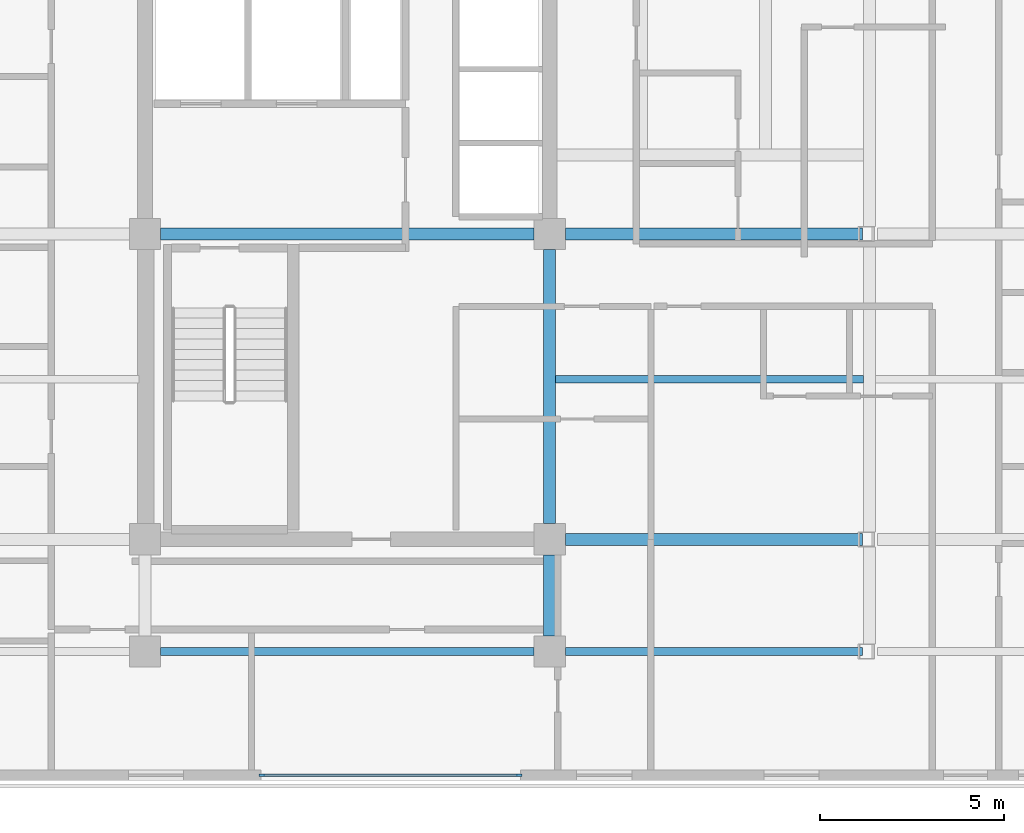
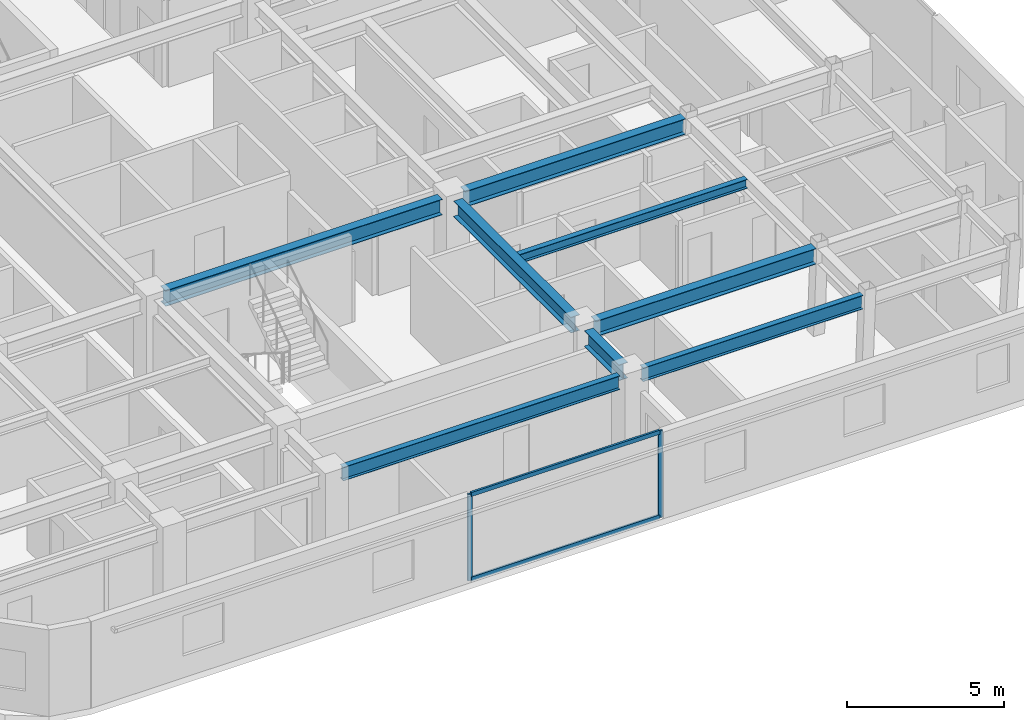
# One storey, part 2 of 14: 8 beams, 4 members, 1 element without a shape of its own.
"""IFC4 building model written with IfcOpenShell, lengths in metres."""

from ifc_helpers import new_model, si_unit, direction, frame, origin, origin_2d, place, context, subcontext, project, spatial, rectangle, i_section, extrude, material, layer, layer_set, material_profile, profile_set, type_object, element, aggregate, save


model = new_model("IFC4")

# Units and contexts
model_context = context("Model", 3, precision=1e-05, world=origin(), true_north=direction((0.0, 1.0)))
body_context = subcontext(model_context, "Body", "Model", "MODEL_VIEW")
ifc_project = project(units=[si_unit("LENGTHUNIT", "METRE"), si_unit("AREAUNIT", "SQUARE_METRE"), si_unit("VOLUMEUNIT", "CUBIC_METRE"), si_unit("PLANEANGLEUNIT", "RADIAN"), si_unit("MASSUNIT", "GRAM", prefix="KILO")], contexts=[model_context])

# Site, building, storey
site_placement = place(None, origin())
site = spatial("IfcSite", under=ifc_project, at=site_placement, CompositionType="ELEMENT")
building_placement = place(site_placement, origin())
building = spatial("IfcBuilding", under=site, at=building_placement, Name="Ochreholt Gables", CompositionType="ELEMENT")
storey_placement = place(building_placement, frame((0.0, 0.0, 109.800048828125)))
storey = spatial("IfcBuildingStorey", under=building, at=storey_placement, Name="L28", CompositionType="ELEMENT", Elevation=109.800048828125)

# Beams
ifc_material_1 = material(Name="Steel CSA G40.21 350W", Category="steel")
ifc_material_profile_1 = material_profile(ifc_material_1, i_section(OverallWidth=0.323974609375, OverallDepth=0.611083984375, WebThickness=0.0126953125, FlangeThickness=0.01904296875, at=origin_2d()), Name="W610X155")
ifc_profile_set_1 = profile_set([ifc_material_profile_1], Name="Steel CSA G40.21 350W")
beam_type_1 = type_object("IfcBeamType", Name="BM-G-W610A", PredefinedType="BEAM", material=ifc_profile_set_1)
beam_1_placement = place(storey_placement, frame((35.62451171875, 9.25, 3.054443359375), z_axis=(1.0, 0.0, 0.0), x_axis=(0.0, 1.0, 0.0)))
element("IfcBeam", 1, at=beam_1_placement, inside=storey, type_object=beam_type_1, Name="L28 Beam TBG-L28-C2EM-Y2", PredefinedType="BEAM", context=body_context, shape_type="SweptSolid", body=[
    extrude(i_section(OverallWidth=0.323974609375, OverallDepth=0.611083984375, WebThickness=0.0126953125, FlangeThickness=0.01904296875, at=origin_2d()), origin(), (0.0, 0.0, 1.0), 8.077880859375),
])
beam_2_placement = place(storey_placement, frame((24.62451171875, 17.550048828125, 3.054443359375), z_axis=(1.0, 0.0, 0.0), x_axis=(0.0, 1.0, 0.0)))
element("IfcBeam", 2, at=beam_2_placement, inside=storey, type_object=beam_type_1, Name="L28 Beam TBG-L28-C1C2-Y3", PredefinedType="BEAM", context=body_context, shape_type="SweptSolid", body=[
    extrude(i_section(OverallWidth=0.323974609375, OverallDepth=0.611083984375, WebThickness=0.0126953125, FlangeThickness=0.01904296875, at=origin_2d()), origin(), (0.0, 0.0, 1.0), 10.15087890625),
])
beam_3_placement = place(storey_placement, frame((35.62451171875, 17.550048828125, 3.054443359375), z_axis=(1.0, 0.0, 0.0), x_axis=(0.0, 1.0, 0.0)))
element("IfcBeam", 3, at=beam_3_placement, inside=storey, type_object=beam_type_1, Name="L28 Beam TBG-L28-C2EM-Y3", PredefinedType="BEAM", context=body_context, shape_type="SweptSolid", body=[
    extrude(i_section(OverallWidth=0.323974609375, OverallDepth=0.611083984375, WebThickness=0.0126953125, FlangeThickness=0.01904296875, at=origin_2d()), origin(), (0.0, 0.0, 1.0), 8.077880859375),
])
beam_4_placement = place(storey_placement, frame((35.199951171875, 6.62451171875, 3.054443359375), z_axis=(0.0, 1.0, 0.0), x_axis=(-1.0, 0.0, 0.0)))
element("IfcBeam", 4, at=beam_4_placement, inside=storey, type_object=beam_type_1, Name="L28 Beam TBN-L28-C2-Y1Y2", PredefinedType="BEAM", context=body_context, shape_type="SweptSolid", body=[
    extrude(i_section(OverallWidth=0.323974609375, OverallDepth=0.611083984375, WebThickness=0.0126953125, FlangeThickness=0.01904296875, at=origin_2d()), origin(), (0.0, 0.0, 1.0), 2.200927734375),
])
beam_5_placement = place(storey_placement, frame((35.199951171875, 9.674560546875, 3.054443359375), z_axis=(0.0, 1.0, 0.0), x_axis=(-1.0, 0.0, 0.0)))
element("IfcBeam", 5, at=beam_5_placement, inside=storey, type_object=beam_type_1, Name="L28 Beam TBN-L28-C2-Y2Y3", PredefinedType="BEAM", context=body_context, shape_type="SweptSolid", body=[
    extrude(i_section(OverallWidth=0.323974609375, OverallDepth=0.611083984375, WebThickness=0.0126953125, FlangeThickness=0.01904296875, at=origin_2d()), origin(), (0.0, 0.0, 1.0), 7.450927734375),
])
ifc_material_profile_2 = material_profile(ifc_material_1, i_section(OverallWidth=0.205078125, OverallDepth=0.35400390625, WebThickness=0.009521484375, FlangeThickness=0.016845703125, at=origin_2d()), Name="W360X79")
ifc_profile_set_2 = profile_set([ifc_material_profile_2], Name="Steel CSA G40.21 350W")
beam_type_2 = type_object("IfcBeamType", Name="BM-J-W360A", PredefinedType="JOIST", material=ifc_profile_set_2)
beam_6_placement = place(storey_placement, frame((35.361572265625, 13.60009765625, 3.182861328125), z_axis=(1.0, 0.0, 0.0), x_axis=(0.0, 1.0, 0.0)))
element("IfcBeam", 6, at=beam_6_placement, inside=storey, type_object=beam_type_2, Name="L28 Beam TBJ-L28-J1-C2EM", PredefinedType="JOIST", context=body_context, shape_type="SweptSolid", body=[
    extrude(i_section(OverallWidth=0.205078125, OverallDepth=0.35400390625, WebThickness=0.009521484375, FlangeThickness=0.016845703125, at=origin_2d()), origin(), (0.0, 0.0, 1.0), 8.36474609375),
])
ifc_material_profile_3 = material_profile(ifc_material_1, i_section(OverallWidth=0.208984375, OverallDepth=0.532958984375, WebThickness=0.01025390625, FlangeThickness=0.015625, at=origin_2d()), Name="W530X92")
ifc_profile_set_3 = profile_set([ifc_material_profile_3], Name="Steel CSA G40.21 350W")
beam_type_3 = type_object("IfcBeamType", Name="BM-SP-W530B", PredefinedType="SPANDREL", material=ifc_profile_set_3)
beam_7_placement = place(storey_placement, frame((24.62451171875, 6.199951171875, 3.093505859375), z_axis=(1.0, 0.0, 0.0), x_axis=(0.0, 1.0, 0.0)))
element("IfcBeam", 7, at=beam_7_placement, inside=storey, type_object=beam_type_3, Name="L28 Beam TBG-L28-C1C2-Y1", PredefinedType="SPANDREL", context=body_context, shape_type="SweptSolid", body=[
    extrude(i_section(OverallWidth=0.208984375, OverallDepth=0.532958984375, WebThickness=0.01025390625, FlangeThickness=0.015625, at=origin_2d()), origin(), (0.0, 0.0, 1.0), 10.15087890625),
])
beam_8_placement = place(storey_placement, frame((35.62451171875, 6.199951171875, 3.093505859375), z_axis=(1.0, 0.0, 0.0), x_axis=(0.0, 1.0, 0.0)))
element("IfcBeam", 8, at=beam_8_placement, inside=storey, type_object=beam_type_3, Name="L28 Beam TBG-L28-C2EM-Y1", PredefinedType="SPANDREL", context=body_context, shape_type="SweptSolid", body=[
    extrude(i_section(OverallWidth=0.208984375, OverallDepth=0.532958984375, WebThickness=0.01025390625, FlangeThickness=0.015625, at=origin_2d()), origin(), (0.0, 0.0, 1.0), 8.077880859375),
])

# Curtain wall, members
ifc_material_2 = material(Name="Unitised Aluminium and Triple Glazing", Category="aluminium")
ifc_layer = layer(ifc_material_2, 0.18994140625, Name="Unitised Aluminium and Triple Glazing")
ifc_layer_set = layer_set([ifc_layer], Name="Unitised Aluminium and Triple Glazing")
curtain_wall_type = type_object("IfcCurtainWallType", Name="CW-SYS3", PredefinedType="NOTDEFINED", material=ifc_layer_set)
curtain_wall_placement = place(storey_placement, origin())
curtain_wall = element("IfcCurtainWall", 9, at=curtain_wall_placement, inside=storey, type_object=curtain_wall_type, Name="L28 South Unitised Curtain Wall", PredefinedType="NOTDEFINED")
ifc_material_3 = material(Name="Anodized Aluminium 6063-T6", Category="aluminium")
ifc_material_profile_4 = material_profile(ifc_material_3, rectangle(XDim=0.06494140625, YDim=0.1650390625, at=origin_2d()), Name="CWM65X165")
ifc_profile_set_4 = profile_set([ifc_material_profile_4], Name="Anodized Aluminium 6063-T6")
member_type_1 = type_object("IfcMemberType", Name="CW-MUL-B", PredefinedType="MULLION", material=ifc_profile_set_4)
member_1_placement = place(storey_placement, frame((27.382568359375, 2.840087890625, 0.0), z_axis=(0.0, 0.0, 1.0), x_axis=(0.0, 1.0, 0.0)))
member_1 = element("IfcMember", 10, at=member_1_placement, type_object=member_type_1, Name="CW-3 mullion 1", PredefinedType="MULLION", context=body_context, shape_type="SweptSolid", body=[
    extrude(rectangle(XDim=0.06494140625, YDim=0.1650390625, at=origin_2d()), origin(), (0.0, 0.0, 1.0), 3.35986328125),
])
member_2_placement = place(storey_placement, frame((34.367431640625, 2.840087890625, 0.0), z_axis=(0.0, 0.0, 1.0), x_axis=(0.0, 1.0, 0.0)))
member_2 = element("IfcMember", 11, at=member_2_placement, type_object=member_type_1, Name="CW-3 mullion 2", PredefinedType="MULLION", context=body_context, shape_type="SweptSolid", body=[
    extrude(rectangle(XDim=0.06494140625, YDim=0.1650390625, at=origin_2d()), origin(), (0.0, 0.0, 1.0), 3.35986328125),
])
ifc_material_profile_5 = material_profile(ifc_material_3, rectangle(XDim=0.074951171875, YDim=0.159912109375, at=origin_2d()), Name="CWT75X160")
ifc_profile_set_5 = profile_set([ifc_material_profile_5], Name="Anodized Aluminium 6063-T6")
member_type_2 = type_object("IfcMemberType", Name="CW-TRN-A", PredefinedType="USERDEFINED", material=ifc_profile_set_5)
member_3_placement = place(storey_placement, frame((27.4150390625, 2.840087890625, 0.037353515625), z_axis=(1.0, 0.0, 0.0), x_axis=(0.0, 1.0, 0.0)))
member_3 = element("IfcMember", 12, at=member_3_placement, type_object=member_type_2, Name="CW-3 transom 1.1", ObjectType="TRANSOM", PredefinedType="USERDEFINED", context=body_context, shape_type="SweptSolid", body=[
    extrude(rectangle(XDim=0.074951171875, YDim=0.159912109375, at=origin_2d()), origin(), (0.0, 0.0, 1.0), 6.919921875),
])
member_4_placement = place(storey_placement, frame((27.4150390625, 2.840087890625, 3.322509765625), z_axis=(1.0, 0.0, 0.0), x_axis=(0.0, 1.0, 0.0)))
member_4 = element("IfcMember", 13, at=member_4_placement, type_object=member_type_2, Name="CW-3 transom 1.2", ObjectType="TRANSOM", PredefinedType="USERDEFINED", context=body_context, shape_type="SweptSolid", body=[
    extrude(rectangle(XDim=0.074951171875, YDim=0.159912109375, at=origin_2d()), origin(), (0.0, 0.0, 1.0), 6.919921875),
])
aggregate(curtain_wall, [member_1, member_2, member_3, member_4])

save(model, "model.ifc")
